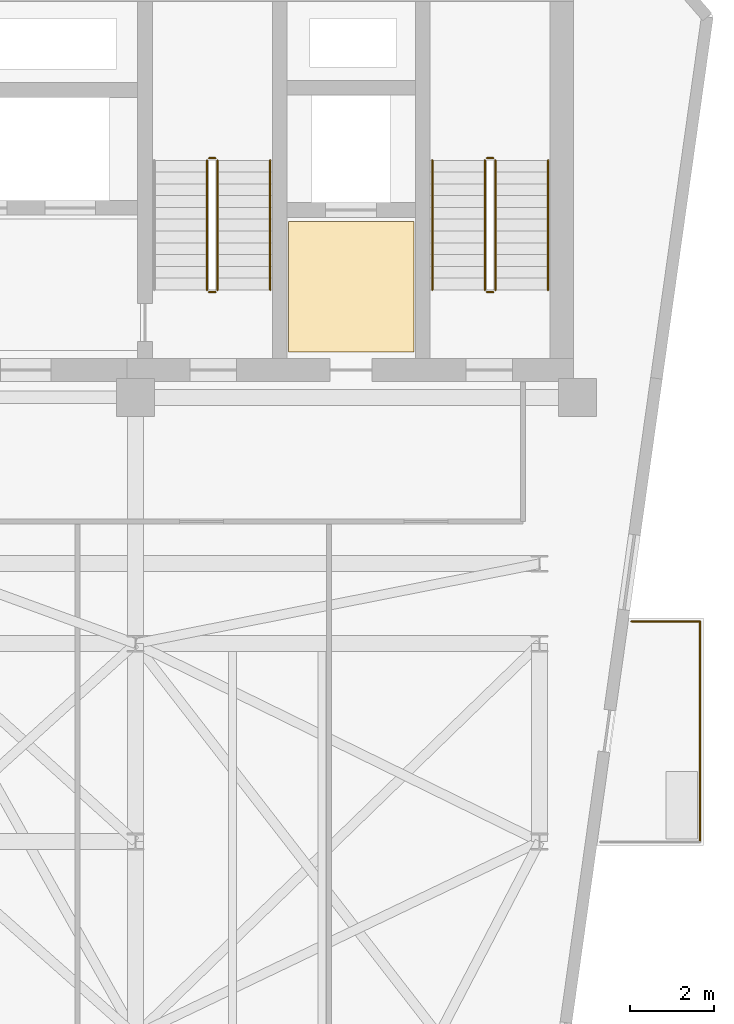
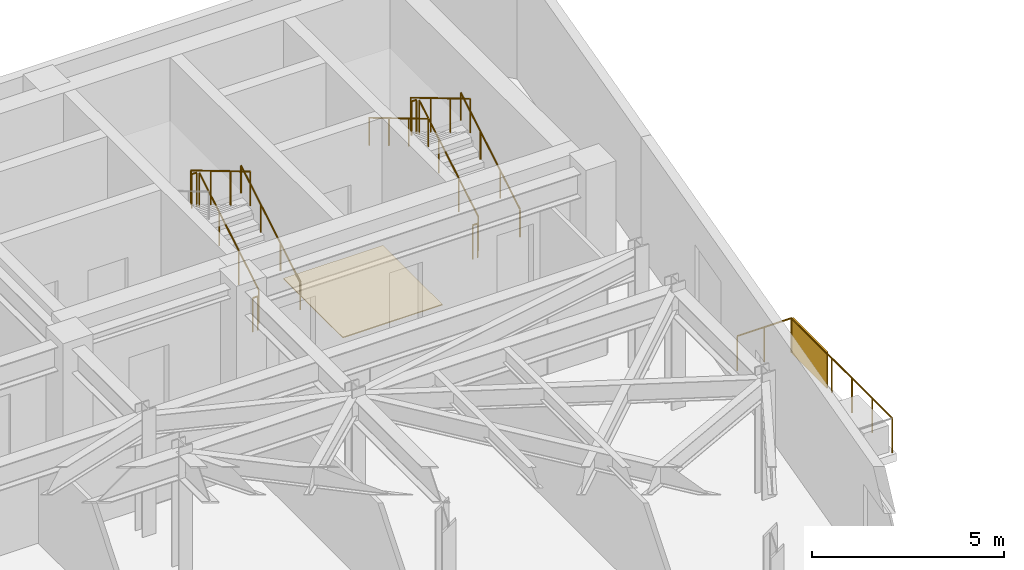
# One storey, part 21 of 21: 13 railings, 1 covering, 1 shading device.
"""IFC4 building model written with IfcOpenShell, lengths in metres."""

from ifc_helpers import new_model, si_unit, direction, frame, origin, origin_2d, place, context, subcontext, project, spatial, polyline, rectangle, circle, outline, extrude, material, layer, layer_set, type_object, element, save


model = new_model("IFC4")

# Units and contexts
model_context = context("Model", 3, precision=1e-05, world=origin(), true_north=direction((0.0, 1.0)))
body_context = subcontext(model_context, "Body", "Model", "MODEL_VIEW")
ifc_project = project(units=[si_unit("LENGTHUNIT", "METRE"), si_unit("AREAUNIT", "SQUARE_METRE"), si_unit("VOLUMEUNIT", "CUBIC_METRE"), si_unit("PLANEANGLEUNIT", "RADIAN"), si_unit("MASSUNIT", "GRAM", prefix="KILO")], contexts=[model_context])

# Site, building, storey
site_placement = place(None, origin())
site = spatial("IfcSite", under=ifc_project, at=site_placement, CompositionType="ELEMENT")
building_placement = place(site_placement, origin())
building = spatial("IfcBuilding", under=site, at=building_placement, Name="Kravanh Interchange Tower", CompositionType="ELEMENT")
storey_placement = place(building_placement, frame((0.0, 0.0, 216.5)))
storey = spatial("IfcBuildingStorey", under=building, at=storey_placement, Name="L52", CompositionType="ELEMENT", Elevation=216.5)

# Covering
ifc_material_1 = material(Name="Cementitious Terrazzo Tile")
ifc_layer_1 = layer(ifc_material_1, 0.030029296875)
ifc_layer_set_1 = layer_set([ifc_layer_1], Name="Honed Terrazzo Lobby Flooring 30mm")
covering_type = type_object("IfcCoveringType", Name="Honed Terrazzo Lobby Flooring 30mm", PredefinedType="FLOORING", material=ifc_layer_set_1)
covering_placement = place(storey_placement, origin())
element("IfcCovering", 1, at=covering_placement, inside=storey, type_object=covering_type, Name="L52 Service Lift Lobby Floor Finish", PredefinedType="FLOORING", context=body_context, shape_type="SweptSolid", body=[
    extrude(outline(polyline([(59.6298828125, 41.52001953125), (62.6201171875, 41.52001953125), (62.6201171875, 38.429931640625), (59.6298828125, 38.429931640625), (59.6298828125, 41.52001953125)])), origin(), (0.0, 0.0, 1.0), 0.030029296875),
])

# Shading device
ifc_material_2 = material(Name="Perforated Anodised Bronze Aluminium", Category="aluminium")
ifc_layer_2 = layer(ifc_material_2, 0.0400390625)
ifc_layer_set_2 = layer_set([ifc_layer_2], Name="Perforated Bronze Balcony Privacy Screen 1150mm")
shading_device_type = type_object("IfcShadingDeviceType", Name="Perforated Bronze Balcony Privacy Screen 1150mm", PredefinedType="USERDEFINED", material=ifc_layer_set_2)
shading_device_placement = place(storey_placement, frame((69.409912109375, 31.06005859375, 0.0), z_axis=(0.0, 0.0, 1.0), x_axis=(1.0, 0.0, 0.0)))
element("IfcShadingDevice", 2, at=shading_device_placement, inside=storey, type_object=shading_device_type, Name="L52 E Perforated Bronze BALCONY SCREEN", ObjectType="SCREEN", PredefinedType="USERDEFINED", context=body_context, shape_type="SweptSolid", body=[
    extrude(rectangle(XDim=0.0400390625, YDim=1.800048828125, at=origin_2d()), origin(), (0.0, 0.0, 1.0), 1.14990234375),
])

# Railings
ifc_material_3 = material(Name="Stainless Steel 316", Category="steel")
ifc_layer_3 = layer(ifc_material_3, 0.06005859375)
ifc_layer_set_3 = layer_set([ifc_layer_3], Name="Perimeter Balcony and Terrace Guardrail Stainless 316 1120mm")
railing_type_1 = type_object("IfcRailingType", Name="Perimeter Balcony and Terrace Guardrail Stainless 316 1120mm", PredefinedType="GUARDRAIL", material=ifc_layer_set_3)
railing_1_placement = place(storey_placement, frame((69.409912109375, 32.030029296875, 0.0)))
element("IfcRailing", 3, at=railing_1_placement, inside=storey, type_object=railing_type_1, Name="L52 E Balcony Guardrail 1", PredefinedType="GUARDRAIL", context=body_context, shape_type="SweptSolid", body=[
    extrude(circle(Radius=0.02392578125, at=origin_2d()), frame((0.0, 0.0, 1.09619140625), z_axis=(0.0, -1.0, 0.0), x_axis=(1.0, 0.0, 0.0)), (0.0, 0.0, 1.0), 5.239990234375),
    extrude(circle(Radius=0.02099609375, at=origin_2d()), origin(), (0.0, 0.0, 1.0), 1.072021484375),
    extrude(circle(Radius=0.02099609375, at=origin_2d()), frame((0.0, -1.048095703125, 0.0)), (0.0, 0.0, 1.0), 1.072021484375),
    extrude(circle(Radius=0.02099609375, at=origin_2d()), frame((0.0, -2.095947265625, 0.0)), (0.0, 0.0, 1.0), 1.072021484375),
    extrude(circle(Radius=0.02099609375, at=origin_2d()), frame((0.0, -3.14404296875, 0.0)), (0.0, 0.0, 1.0), 1.072021484375),
    extrude(circle(Radius=0.02099609375, at=origin_2d()), frame((0.0, -4.19189453125, 0.0)), (0.0, 0.0, 1.0), 1.072021484375),
    extrude(circle(Radius=0.02099609375, at=origin_2d()), frame((0.0, -5.239990234375, 0.0)), (0.0, 0.0, 1.0), 1.072021484375),
])
railing_2_placement = place(storey_placement, frame((67.78125, 32.030029296875, 0.0)))
element("IfcRailing", 4, at=railing_2_placement, inside=storey, type_object=railing_type_1, Name="L52 E Balcony Guardrail 3", PredefinedType="GUARDRAIL", context=body_context, shape_type="SweptSolid", body=[
    extrude(circle(Radius=0.02392578125, at=origin_2d()), frame((0.0, 0.0, 1.09619140625), z_axis=(1.0, 0.0, 0.0), x_axis=(0.0, 1.0, 0.0)), (0.0, 0.0, 1.0), 1.628662109375),
    extrude(circle(Radius=0.02099609375, at=origin_2d()), origin(), (0.0, 0.0, 1.0), 1.072021484375),
    extrude(circle(Radius=0.02099609375, at=origin_2d()), frame((0.814453125, 0.0, 0.0)), (0.0, 0.0, 1.0), 1.072021484375),
    extrude(circle(Radius=0.02099609375, at=origin_2d()), frame((1.628662109375, 0.0, 0.0)), (0.0, 0.0, 1.0), 1.072021484375),
])
ifc_material_4 = material(Name="Structural Steel S355", Category="steel")
ifc_layer_4 = layer(ifc_material_4, 0.050048828125)
ifc_layer_set_4 = layer_set([ifc_layer_4], Name="Stair Well Guardrail Structural Steel S355 1100mm")
railing_type_2 = type_object("IfcRailingType", Name="Stair Well Guardrail Structural Steel S355 1100mm", PredefinedType="GUARDRAIL", material=ifc_layer_set_4)
railing_3_placement = place(storey_placement, frame((64.550048828125, 39.89990234375, 0.166748046875)))
element("IfcRailing", 5, at=railing_3_placement, inside=storey, type_object=railing_type_2, Name="L52 ST1 stair guard 1", PredefinedType="GUARDRAIL", context=body_context, shape_type="SweptSolid", body=[
    extrude(circle(Radius=0.02392578125, at=origin_2d()), frame((0.0, 0.0, 1.076171875), z_axis=(0.0, 0.859308565015, 0.511457515432), x_axis=(-1.0, 0.0, 0.0)), (0.0, 0.0, 1.0), 3.58447265625),
    extrude(circle(Radius=0.02099609375, at=origin_2d()), origin(), (0.0, 0.0, 1.0), 1.052001953125),
    extrude(circle(Radius=0.02099609375, at=origin_2d()), frame((0.0, 1.026611328125, 0.611083984375)), (0.0, 0.0, 1.0), 1.052001953125),
    extrude(circle(Radius=0.02099609375, at=origin_2d()), frame((0.0, 2.053466796875, 1.22216796875)), (0.0, 0.0, 1.0), 1.052001953125),
    extrude(circle(Radius=0.02099609375, at=origin_2d()), frame((0.0, 3.080078125, 1.833251953125)), (0.0, 0.0, 1.0), 1.052001953125),
])
railing_4_placement = place(storey_placement, frame((64.5, 43.030029296875, 2.0)))
element("IfcRailing", 6, at=railing_4_placement, inside=storey, type_object=railing_type_2, Name="L52 ST1 stair guard 2", PredefinedType="GUARDRAIL", context=body_context, shape_type="SweptSolid", body=[
    extrude(circle(Radius=0.02392578125, at=origin_2d()), frame((0.0, 0.0, 1.076171875), z_axis=(-1.0, 0.0, 0.0), x_axis=(0.0, -1.0, 0.0)), (0.0, 0.0, 1.0), 0.14990234375),
    extrude(circle(Radius=0.02099609375, at=origin_2d()), origin(), (0.0, 0.0, 1.0), 1.052001953125),
    extrude(circle(Radius=0.02099609375, at=origin_2d()), frame((-0.14990234375, 0.0, 0.0)), (0.0, 0.0, 1.0), 1.052001953125),
])
railing_5_placement = place(storey_placement, frame((64.300048828125, 42.97998046875, 2.166748046875)))
element("IfcRailing", 7, at=railing_5_placement, inside=storey, type_object=railing_type_2, Name="L52 ST1 stair guard 3", PredefinedType="GUARDRAIL", context=body_context, shape_type="SweptSolid", body=[
    extrude(circle(Radius=0.02392578125, at=origin_2d()), frame((0.0, 0.0, 1.076171875), z_axis=(0.0, -0.859308565015, 0.511457515432), x_axis=(1.0, 0.0, 0.0)), (0.0, 0.0, 1.0), 3.58447265625),
    extrude(circle(Radius=0.02099609375, at=origin_2d()), origin(), (0.0, 0.0, 1.0), 1.052001953125),
    extrude(circle(Radius=0.02099609375, at=origin_2d()), frame((0.0, -1.026611328125, 0.611083984375)), (0.0, 0.0, 1.0), 1.052001953125),
    extrude(circle(Radius=0.02099609375, at=origin_2d()), frame((0.0, -2.053466796875, 1.22216796875)), (0.0, 0.0, 1.0), 1.052001953125),
    extrude(circle(Radius=0.02099609375, at=origin_2d()), frame((0.0, -3.080078125, 1.833251953125)), (0.0, 0.0, 1.0), 1.052001953125),
])
railing_6_placement = place(storey_placement, frame((64.5, 39.85009765625, 0.0)))
element("IfcRailing", 8, at=railing_6_placement, inside=storey, type_object=railing_type_2, Name="L52 ST1 stair guard 4", PredefinedType="GUARDRAIL", context=body_context, shape_type="SweptSolid", body=[
    extrude(circle(Radius=0.02392578125, at=origin_2d()), frame((0.0, 0.0, 1.076171875), z_axis=(-1.0, 0.0, 0.0), x_axis=(0.0, -1.0, 0.0)), (0.0, 0.0, 1.0), 0.14990234375),
    extrude(circle(Radius=0.02099609375, at=origin_2d()), origin(), (0.0, 0.0, 1.0), 1.052001953125),
    extrude(circle(Radius=0.02099609375, at=origin_2d()), frame((-0.14990234375, 0.0, 0.0)), (0.0, 0.0, 1.0), 1.052001953125),
])
railing_7_placement = place(storey_placement, frame((57.949951171875, 39.89990234375, 0.166748046875)))
element("IfcRailing", 9, at=railing_7_placement, inside=storey, type_object=railing_type_2, Name="L52 ST2 stair guard 1", PredefinedType="GUARDRAIL", context=body_context, shape_type="SweptSolid", body=[
    extrude(circle(Radius=0.02392578125, at=origin_2d()), frame((0.0, 0.0, 1.076171875), z_axis=(0.0, 0.859308565015, 0.511457515432), x_axis=(-1.0, 0.0, 0.0)), (0.0, 0.0, 1.0), 3.58447265625),
    extrude(circle(Radius=0.02099609375, at=origin_2d()), origin(), (0.0, 0.0, 1.0), 1.052001953125),
    extrude(circle(Radius=0.02099609375, at=origin_2d()), frame((0.0, 1.026611328125, 0.611083984375)), (0.0, 0.0, 1.0), 1.052001953125),
    extrude(circle(Radius=0.02099609375, at=origin_2d()), frame((0.0, 2.053466796875, 1.22216796875)), (0.0, 0.0, 1.0), 1.052001953125),
    extrude(circle(Radius=0.02099609375, at=origin_2d()), frame((0.0, 3.080078125, 1.833251953125)), (0.0, 0.0, 1.0), 1.052001953125),
])
railing_8_placement = place(storey_placement, frame((57.89990234375, 43.030029296875, 2.0)))
element("IfcRailing", 10, at=railing_8_placement, inside=storey, type_object=railing_type_2, Name="L52 ST2 stair guard 2", PredefinedType="GUARDRAIL", context=body_context, shape_type="SweptSolid", body=[
    extrude(circle(Radius=0.02392578125, at=origin_2d()), frame((0.0, 0.0, 1.076171875), z_axis=(-1.0, 0.0, 0.0), x_axis=(0.0, -1.0, 0.0)), (0.0, 0.0, 1.0), 0.14990234375),
    extrude(circle(Radius=0.02099609375, at=origin_2d()), origin(), (0.0, 0.0, 1.0), 1.052001953125),
    extrude(circle(Radius=0.02099609375, at=origin_2d()), frame((-0.14990234375, 0.0, 0.0)), (0.0, 0.0, 1.0), 1.052001953125),
])
railing_9_placement = place(storey_placement, frame((57.699951171875, 42.97998046875, 2.166748046875)))
element("IfcRailing", 11, at=railing_9_placement, inside=storey, type_object=railing_type_2, Name="L52 ST2 stair guard 3", PredefinedType="GUARDRAIL", context=body_context, shape_type="SweptSolid", body=[
    extrude(circle(Radius=0.02392578125, at=origin_2d()), frame((0.0, 0.0, 1.076171875), z_axis=(0.0, -0.859308565015, 0.511457515432), x_axis=(1.0, 0.0, 0.0)), (0.0, 0.0, 1.0), 3.58447265625),
    extrude(circle(Radius=0.02099609375, at=origin_2d()), origin(), (0.0, 0.0, 1.0), 1.052001953125),
    extrude(circle(Radius=0.02099609375, at=origin_2d()), frame((0.0, -1.026611328125, 0.611083984375)), (0.0, 0.0, 1.0), 1.052001953125),
    extrude(circle(Radius=0.02099609375, at=origin_2d()), frame((0.0, -2.053466796875, 1.22216796875)), (0.0, 0.0, 1.0), 1.052001953125),
    extrude(circle(Radius=0.02099609375, at=origin_2d()), frame((0.0, -3.080078125, 1.833251953125)), (0.0, 0.0, 1.0), 1.052001953125),
])
railing_10_placement = place(storey_placement, frame((57.89990234375, 39.85009765625, 0.0)))
element("IfcRailing", 12, at=railing_10_placement, inside=storey, type_object=railing_type_2, Name="L52 ST2 stair guard 4", PredefinedType="GUARDRAIL", context=body_context, shape_type="SweptSolid", body=[
    extrude(circle(Radius=0.02392578125, at=origin_2d()), frame((0.0, 0.0, 1.076171875), z_axis=(-1.0, 0.0, 0.0), x_axis=(0.0, -1.0, 0.0)), (0.0, 0.0, 1.0), 0.14990234375),
    extrude(circle(Radius=0.02099609375, at=origin_2d()), origin(), (0.0, 0.0, 1.0), 1.052001953125),
    extrude(circle(Radius=0.02099609375, at=origin_2d()), frame((-0.14990234375, 0.0, 0.0)), (0.0, 0.0, 1.0), 1.052001953125),
])
ifc_material_5 = material(Name="Stainless Steel 304", Category="steel")
ifc_layer_5 = layer(ifc_material_5, 0.044921875)
ifc_layer_set_5 = layer_set([ifc_layer_5], Name="Tubular Stair Handrail Stainless 304 900mm")
railing_type_3 = type_object("IfcRailingType", Name="Tubular Stair Handrail Stainless 304 900mm", PredefinedType="HANDRAIL", material=ifc_layer_set_5)
railing_11_placement = place(storey_placement, frame((65.800048828125, 39.89990234375, 0.166748046875)))
element("IfcRailing", 13, at=railing_11_placement, inside=storey, type_object=railing_type_3, Name="L52 ST1 stair handrail 1", PredefinedType="HANDRAIL", context=body_context, shape_type="SweptSolid", body=[
    extrude(circle(Radius=0.02392578125, at=origin_2d()), frame((0.0, 0.0, 0.8759765625), z_axis=(0.0, 0.859308565015, 0.511457515432), x_axis=(-1.0, 0.0, 0.0)), (0.0, 0.0, 1.0), 3.58447265625),
    extrude(circle(Radius=0.02099609375, at=origin_2d()), origin(), (0.0, 0.0, 1.0), 0.851806640625),
    extrude(circle(Radius=0.02099609375, at=origin_2d()), frame((0.0, 1.026611328125, 0.611083984375)), (0.0, 0.0, 1.0), 0.851806640625),
    extrude(circle(Radius=0.02099609375, at=origin_2d()), frame((0.0, 2.053466796875, 1.22216796875)), (0.0, 0.0, 1.0), 0.851806640625),
    extrude(circle(Radius=0.02099609375, at=origin_2d()), frame((0.0, 3.080078125, 1.833251953125)), (0.0, 0.0, 1.0), 0.851806640625),
])
railing_12_placement = place(storey_placement, frame((63.050048828125, 42.97998046875, 2.166748046875)))
element("IfcRailing", 14, at=railing_12_placement, inside=storey, type_object=railing_type_3, Name="L52 ST1 stair handrail 2", PredefinedType="HANDRAIL", context=body_context, shape_type="SweptSolid", body=[
    extrude(circle(Radius=0.02392578125, at=origin_2d()), frame((0.0, 0.0, 0.8759765625), z_axis=(0.0, -0.859308565015, 0.511457515432), x_axis=(1.0, 0.0, 0.0)), (0.0, 0.0, 1.0), 3.58447265625),
    extrude(circle(Radius=0.02099609375, at=origin_2d()), origin(), (0.0, 0.0, 1.0), 0.851806640625),
    extrude(circle(Radius=0.02099609375, at=origin_2d()), frame((0.0, -1.026611328125, 0.611083984375)), (0.0, 0.0, 1.0), 0.851806640625),
    extrude(circle(Radius=0.02099609375, at=origin_2d()), frame((0.0, -2.053466796875, 1.22216796875)), (0.0, 0.0, 1.0), 0.851806640625),
    extrude(circle(Radius=0.02099609375, at=origin_2d()), frame((0.0, -3.080078125, 1.833251953125)), (0.0, 0.0, 1.0), 0.851806640625),
])
railing_13_placement = place(storey_placement, frame((59.199951171875, 39.89990234375, 0.166748046875)))
element("IfcRailing", 15, at=railing_13_placement, inside=storey, type_object=railing_type_3, Name="L52 ST2 stair handrail 1", PredefinedType="HANDRAIL", context=body_context, shape_type="SweptSolid", body=[
    extrude(circle(Radius=0.02392578125, at=origin_2d()), frame((0.0, 0.0, 0.8759765625), z_axis=(0.0, 0.859308565015, 0.511457515432), x_axis=(-1.0, 0.0, 0.0)), (0.0, 0.0, 1.0), 3.58447265625),
    extrude(circle(Radius=0.02099609375, at=origin_2d()), origin(), (0.0, 0.0, 1.0), 0.851806640625),
    extrude(circle(Radius=0.02099609375, at=origin_2d()), frame((0.0, 1.026611328125, 0.611083984375)), (0.0, 0.0, 1.0), 0.851806640625),
    extrude(circle(Radius=0.02099609375, at=origin_2d()), frame((0.0, 2.053466796875, 1.22216796875)), (0.0, 0.0, 1.0), 0.851806640625),
    extrude(circle(Radius=0.02099609375, at=origin_2d()), frame((0.0, 3.080078125, 1.833251953125)), (0.0, 0.0, 1.0), 0.851806640625),
])

save(model, "model.ifc")
